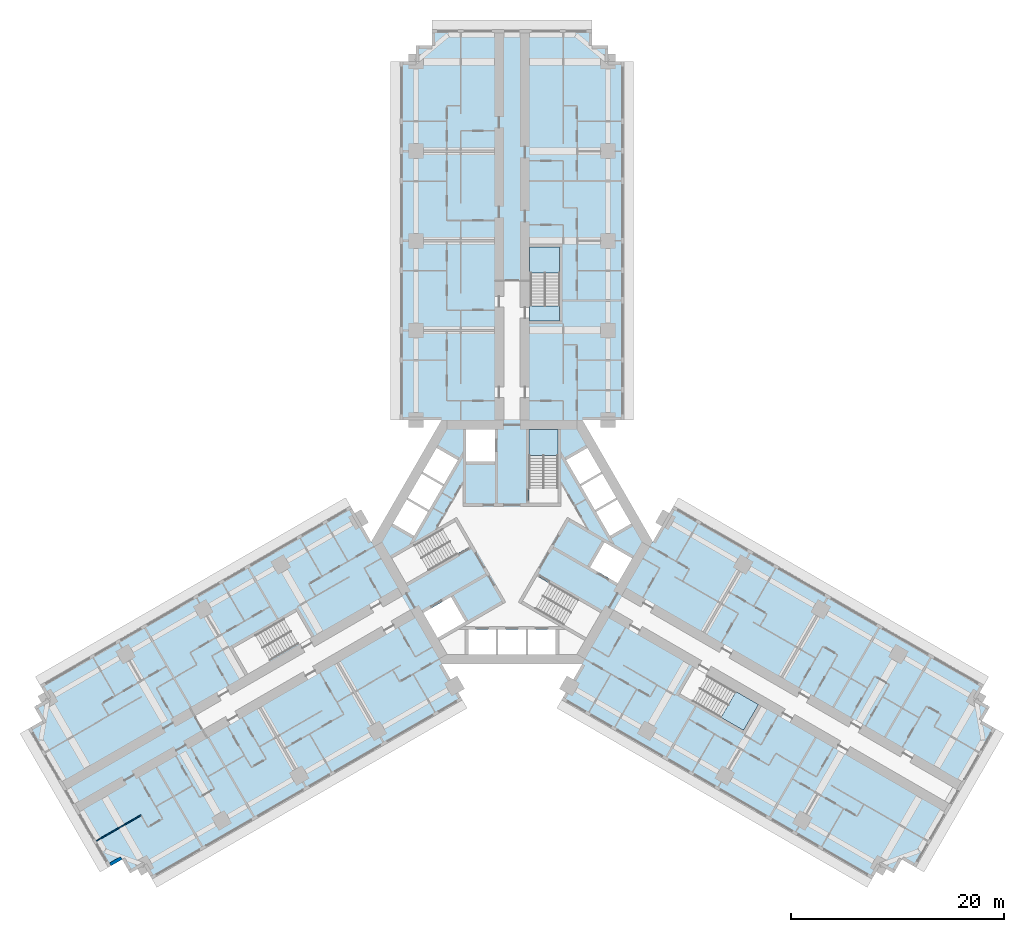
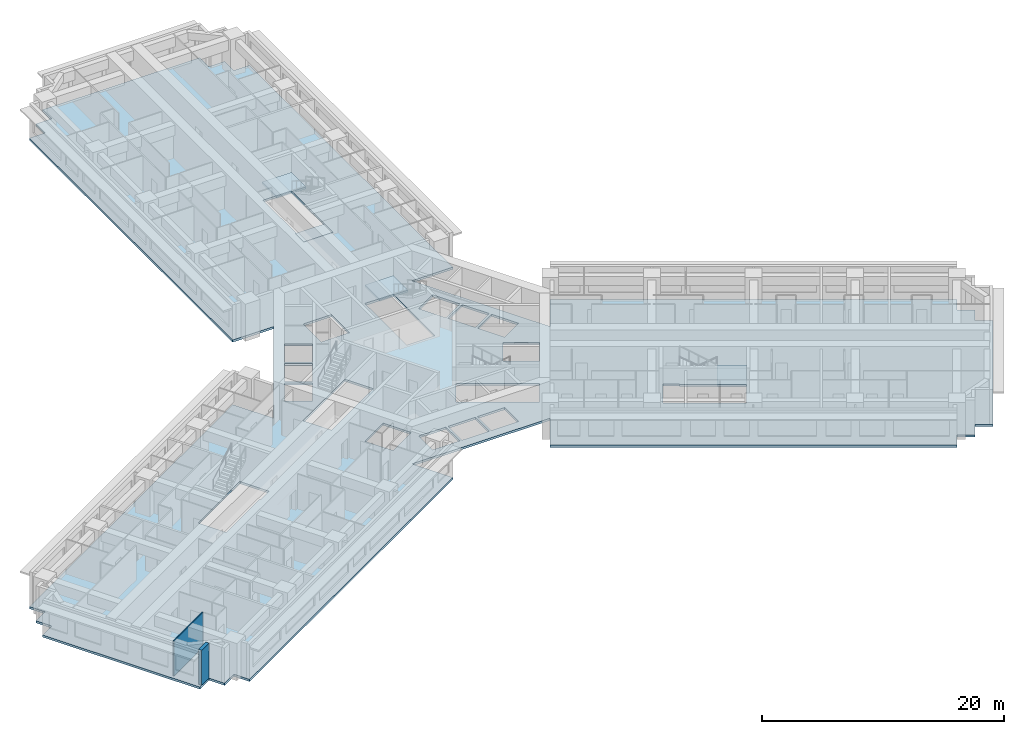
# One storey, part 2 of 16: 5 slabs, 2 walls, 3 elements without a shape of their own.
"""IFC4 building model written with IfcOpenShell, lengths in metres."""

from ifc_helpers import new_model, si_unit, direction, frame, frame_2d, origin, place, context, subcontext, project, spatial, polyline, rectangle, outline, extrude, material, layer, layer_set, type_object, element, aggregate, save


model = new_model("IFC4")

# Units and contexts
model_context = context("Model", 3, precision=1e-05, world=origin(), true_north=direction((0.0, 1.0)))
body_context = subcontext(model_context, "Body", "Model", "MODEL_VIEW")
ifc_project = project(units=[si_unit("LENGTHUNIT", "METRE"), si_unit("AREAUNIT", "SQUARE_METRE"), si_unit("VOLUMEUNIT", "CUBIC_METRE"), si_unit("PLANEANGLEUNIT", "RADIAN"), si_unit("MASSUNIT", "GRAM", prefix="KILO")], contexts=[model_context])

# Site, building, storey
site_placement = place(None, origin())
site = spatial("IfcSite", under=ifc_project, at=site_placement, CompositionType="ELEMENT")
building_placement = place(site_placement, origin())
building = spatial("IfcBuilding", under=site, at=building_placement, Name="Impinga Residences", CompositionType="ELEMENT")
storey_placement = place(building_placement, frame((0.0, 0.0, 78.5)))
storey = spatial("IfcBuildingStorey", under=building, at=storey_placement, Name="L19", CompositionType="ELEMENT", Elevation=78.5)

# Slab
ifc_material_1 = material(Name="Concrete C60/75", Category="concrete")
ifc_layer_1 = layer(ifc_material_1, 0.219970703125)
ifc_layer_set_1 = layer_set([ifc_layer_1], Name="Concrete C60/75")
slab_type_1 = type_object("IfcSlabType", Name="FS1 tower floor slab 220", PredefinedType="FLOOR", material=ifc_layer_set_1)
slab_1_placement = place(storey_placement, frame((0.0, 0.0, -0.219970703125)))
element("IfcSlab", 1, at=slab_1_placement, inside=storey, type_object=slab_type_1, Name="Floor slab FS1 L19", PredefinedType="FLOOR", context=body_context, shape_type="SweptSolid", body=[
    extrude(outline(polyline([(-34.49853515625, -30.31005859375), (-35.797607421875, -31.06005859375), (-36.547607421875, -29.760986328125), (-37.846435546875, -30.510986328125), (-45.346435546875, -17.5205078125), (-44.047607421875, -16.7705078125), (-44.797607421875, -15.471435546875), (-43.49853515625, -14.721435546875), (-44.24853515625, -13.422607421875), (-15.14990234375, 3.37744140625), (-13.199951171875, 0.0), (-6.60009765625, 11.431640625), (-10.5, 11.431640625), (-10.5, 45.031494140625), (-9.0, 45.031494140625), (-9.0, 46.531494140625), (-7.5, 46.531494140625), (-7.5, 48.031494140625), (7.5, 48.031494140625), (7.5, 46.531494140625), (9.0, 46.531494140625), (9.0, 45.031494140625), (10.5, 45.031494140625), (10.5, 11.431640625), (6.60009765625, 11.431640625), (13.199951171875, 0.0), (15.14990234375, 3.37744140625), (44.24853515625, -13.422607421875), (43.49853515625, -14.721435546875), (44.797607421875, -15.471435546875), (44.047607421875, -16.7705078125), (45.346435546875, -17.5205078125), (37.846435546875, -30.510986328125), (36.547607421875, -29.760986328125), (35.797607421875, -31.06005859375), (34.49853515625, -30.31005859375), (33.74853515625, -31.609130859375), (4.64990234375, -14.80908203125), (9.900146484375, -5.7158203125), (6.60009765625, -11.431640625), (-6.60009765625, -11.431640625), (-9.900146484375, -5.7158203125), (-4.64990234375, -14.80908203125), (-33.74853515625, -31.609130859375), (-34.49853515625, -30.31005859375)]), holes=[polyline([(-21.391357421875, -7.2119140625), (-26.154541015625, -9.9619140625), (-24.8046875, -12.30029296875), (-20.04150390625, -9.55029296875), (-19.991455078125, -9.63671875), (-18.779052734375, -8.936767578125), (-18.8291015625, -8.850341796875), (-18.8291015625, -8.850341796875), (-20.178955078125, -6.511962890625), (-21.391357421875, -7.2119140625), (-21.391357421875, -7.2119140625)]), polyline([(-1.5, -8.2314453125), (-4.10009765625, -8.2314453125), (-4.10009765625, -10.531494140625), (-1.5, -10.531494140625), (-1.5, -8.2314453125)]), polyline([(1.300048828125, -8.2314453125), (-1.300048828125, -8.2314453125), (-1.300048828125, -10.531494140625), (1.300048828125, -10.531494140625), (1.300048828125, -8.2314453125)]), polyline([(1.5, -8.2314453125), (1.5, -10.531494140625), (4.10009765625, -10.531494140625), (4.10009765625, -8.2314453125), (1.5, -8.2314453125)]), polyline([(-5.72119140625, -5.150634765625), (-8.320556640625, -6.6513671875), (-6.970458984375, -8.98974609375), (-4.37109375, -7.489013671875), (-5.72119140625, -5.150634765625)]), polyline([(-3.943603515625, -0.429443359375), (-5.293701171875, 1.908935546875), (-11.2705078125, -1.541748046875), (-9.920654296875, -3.880126953125), (-3.943603515625, -0.429443359375)]), polyline([(-9.1787109375, 0.56494140625), (-7.878662109375, 2.816650390625), (-9.87060546875, 3.966796875), (-11.170654296875, 1.715087890625), (-9.1787109375, 0.56494140625)]), polyline([(-6.478759765625, 5.24169921875), (-8.470458984375, 6.3916015625), (-9.7705078125, 4.139892578125), (-7.77880859375, 2.989990234375), (-6.478759765625, 5.24169921875)]), polyline([(-6.378662109375, 5.414794921875), (-5.07861328125, 7.66650390625), (-7.070556640625, 8.81640625), (-8.37060546875, 6.564697265625), (-6.378662109375, 5.414794921875)]), polyline([(-4.300048828125, 7.530029296875), (-1.60009765625, 7.530029296875), (-1.60009765625, 10.531494140625), (-4.300048828125, 10.531494140625), (-4.300048828125, 7.530029296875)]), polyline([(15.72900390625, -14.219482421875), (21.70458984375, -17.669677734375), (23.0546875, -15.331298828125), (18.29150390625, -12.581298828125), (18.341552734375, -12.49462890625), (17.129150390625, -11.794677734375), (15.72900390625, -14.219482421875)]), polyline([(0.99365234375, -5.538818359375), (6.970458984375, -8.98974609375), (8.320556640625, -6.6513671875), (2.34375, -3.20068359375), (0.99365234375, -5.538818359375)]), polyline([(8.671142578125, -0.041015625), (7.3212890625, -2.37939453125), (9.920654296875, -3.880126953125), (11.2705078125, -1.541748046875), (8.671142578125, -0.041015625)]), polyline([(7.878662109375, 2.816650390625), (9.1787109375, 0.56494140625), (11.170654296875, 1.715087890625), (9.87060546875, 3.966796875), (7.878662109375, 2.816650390625)]), polyline([(7.77880859375, 2.989990234375), (9.7705078125, 4.139892578125), (8.470458984375, 6.3916015625), (6.478759765625, 5.24169921875), (7.77880859375, 2.989990234375)]), polyline([(1.60009765625, 3.6298828125), (4.300048828125, 3.6298828125), (4.300048828125, 10.531494140625), (1.60009765625, 10.531494140625), (1.60009765625, 3.6298828125)]), polyline([(5.07861328125, 7.66650390625), (6.378662109375, 5.414794921875), (8.37060546875, 6.564697265625), (7.070556640625, 8.81640625), (5.07861328125, 7.66650390625)]), polyline([(1.75, 22.131591796875), (1.64990234375, 22.131591796875), (1.64990234375, 20.7314453125), (1.75, 20.7314453125), (4.449951171875, 20.7314453125), (4.449951171875, 22.131591796875), (4.449951171875, 27.631591796875), (1.75, 27.631591796875), (1.75, 22.131591796875)])]), origin(), (0.0, 0.0, 1.0), 0.219970703125),
])

# Stair, slab
ifc_material_2 = material(Name="Concrete C40/50", Category="concrete")
stair_type_1 = type_object("IfcStairType", Name="STR core stair 3750 storey, 24 risers", PredefinedType="HALF_TURN_STAIR", material=ifc_material_2)
stair_1_placement = place(storey_placement, origin())
stair_1 = element("IfcStair", 2, at=stair_1_placement, inside=storey, type_object=stair_type_1, Name="Stair ST1 L19", PredefinedType="HALF_TURN_STAIR")
ifc_layer_2 = layer(ifc_material_2, 0.199951171875)
ifc_layer_set_2 = layer_set([ifc_layer_2], Name="Concrete C40/50")
slab_type_2 = type_object("IfcSlabType", Name="LS1 stair landing 200", PredefinedType="LANDING", material=ifc_layer_set_2)
slab_2_placement = place(storey_placement, frame((0.0, 0.0, 1.675048828125)))
slab_2 = element("IfcSlab", 3, at=slab_2_placement, type_object=slab_type_2, Name="ST1 landing 2", PredefinedType="LANDING", context=body_context, shape_type="SweptSolid", body=[
    extrude(outline(polyline([(1.60009765625, 8.10009765625), (4.300048828125, 8.10009765625), (4.300048828125, 10.531494140625), (1.60009765625, 10.531494140625), (1.60009765625, 8.10009765625)])), origin(), (0.0, 0.0, 1.0), 0.199951171875),
])
aggregate(stair_1, [slab_2])

# Stair, slabs
stair_type_2 = type_object("IfcStairType", Name="STR wing stair 3750 storey, 24 risers", PredefinedType="HALF_TURN_STAIR", material=ifc_material_2)
stair_2_placement = place(storey_placement, origin())
stair_2 = element("IfcStair", 4, at=stair_2_placement, inside=storey, type_object=stair_type_2, Name="Stair WS1 L19", PredefinedType="HALF_TURN_STAIR")
slab_3_placement = place(storey_placement, frame((0.0, 0.0, -0.199951171875)))
slab_3 = element("IfcSlab", 5, at=slab_3_placement, type_object=slab_type_2, Name="WS1 landing 1", PredefinedType="LANDING", context=body_context, shape_type="SweptSolid", body=[
    extrude(outline(polyline([(1.64990234375, 20.7314453125), (4.449951171875, 20.7314453125), (4.449951171875, 22.1416015625), (1.64990234375, 22.1416015625), (1.64990234375, 20.7314453125)])), origin(), (0.0, 0.0, 1.0), 0.199951171875),
])
slab_4_placement = place(storey_placement, frame((0.0, 0.0, 1.675048828125)))
slab_4 = element("IfcSlab", 6, at=slab_4_placement, type_object=slab_type_2, Name="WS1 landing 2", PredefinedType="LANDING", context=body_context, shape_type="SweptSolid", body=[
    extrude(outline(polyline([(1.64990234375, 25.201416015625), (4.449951171875, 25.201416015625), (4.449951171875, 27.631591796875), (1.64990234375, 27.631591796875), (1.64990234375, 25.201416015625)])), origin(), (0.0, 0.0, 1.0), 0.199951171875),
])
aggregate(stair_2, [slab_3, slab_4])

# Stair, slab
stair_3_placement = place(storey_placement, origin())
stair_3 = element("IfcStair", 7, at=stair_3_placement, inside=storey, type_object=stair_type_2, Name="Stair WS3 L19", PredefinedType="HALF_TURN_STAIR")
slab_5_placement = place(storey_placement, frame((0.0, 0.0, 1.675048828125)))
slab_5 = element("IfcSlab", 8, at=slab_5_placement, type_object=slab_type_2, Name="WS3 landing 2", PredefinedType="LANDING", context=body_context, shape_type="SweptSolid", body=[
    extrude(outline(polyline([(21.000244140625, -14.02978515625), (19.60009765625, -16.45458984375), (21.70458984375, -17.669677734375), (23.1044921875, -15.24462890625), (21.000244140625, -14.02978515625)])), origin(), (0.0, 0.0, 1.0), 0.199951171875),
])
aggregate(stair_3, [slab_5])

# Walls
ifc_material_3 = material(Name="Terracotta rainscreen on blockwork", Category="masonry")
ifc_layer_3 = layer(ifc_material_3, 0.300048828125)
ifc_layer_set_3 = layer_set([ifc_layer_3], Name="EW1 external wall, terracotta rainscreen on blockwork 300")
wall_type_1 = type_object("IfcWallType", Name="EW1 external wall, terracotta rainscreen on blockwork 300", PredefinedType="SOLIDWALL", material=ifc_layer_set_3)
wall_1_placement = place(storey_placement, frame((-36.626708984375, -29.633544921875, 0.0), z_axis=(0.0, 0.0, 1.0), x_axis=(-0.866059708757, -0.499940577336, 0.0)))
element("IfcWall", 9, at=wall_1_placement, inside=storey, type_object=wall_type_1, Name="External wall EW1 L19", PredefinedType="SOLIDWALL", context=body_context, shape_type="SweptSolid", body=[
    extrude(rectangle(XDim=1.195068359375, YDim=0.300048828125, at=frame_2d((0.59765625, 0.0))), origin(), (0.0, 0.0, 1.0), 3.530029296875),
])
ifc_material_4 = material(Name="Gypsum board on steel studs", Category="steel")
ifc_layer_4 = layer(ifc_material_4, 0.10009765625)
ifc_layer_set_4 = layer_set([ifc_layer_4], Name="Gypsum board on steel studs")
wall_type_2 = type_object("IfcWallType", Name="IP1 partition 100", PredefinedType="PARTITIONING", material=ifc_layer_set_4)
wall_2_placement = place(storey_placement, frame((-34.77978515625, -25.622802734375, 0.0), z_axis=(0.0, 0.0, 1.0), x_axis=(-0.866037363387, -0.499979284789, 0.0)))
element("IfcWall", 10, at=wall_2_placement, inside=storey, type_object=wall_type_2, Name="Partition L19-WA5:DIV1", PredefinedType="PARTITIONING", context=body_context, shape_type="SweptSolid", body=[
    extrude(rectangle(XDim=4.800048828125, YDim=0.10009765625, at=frame_2d((2.39990234375, 0.0))), origin(), (0.0, 0.0, 1.0), 3.530029296875),
])

save(model, "model.ifc")
